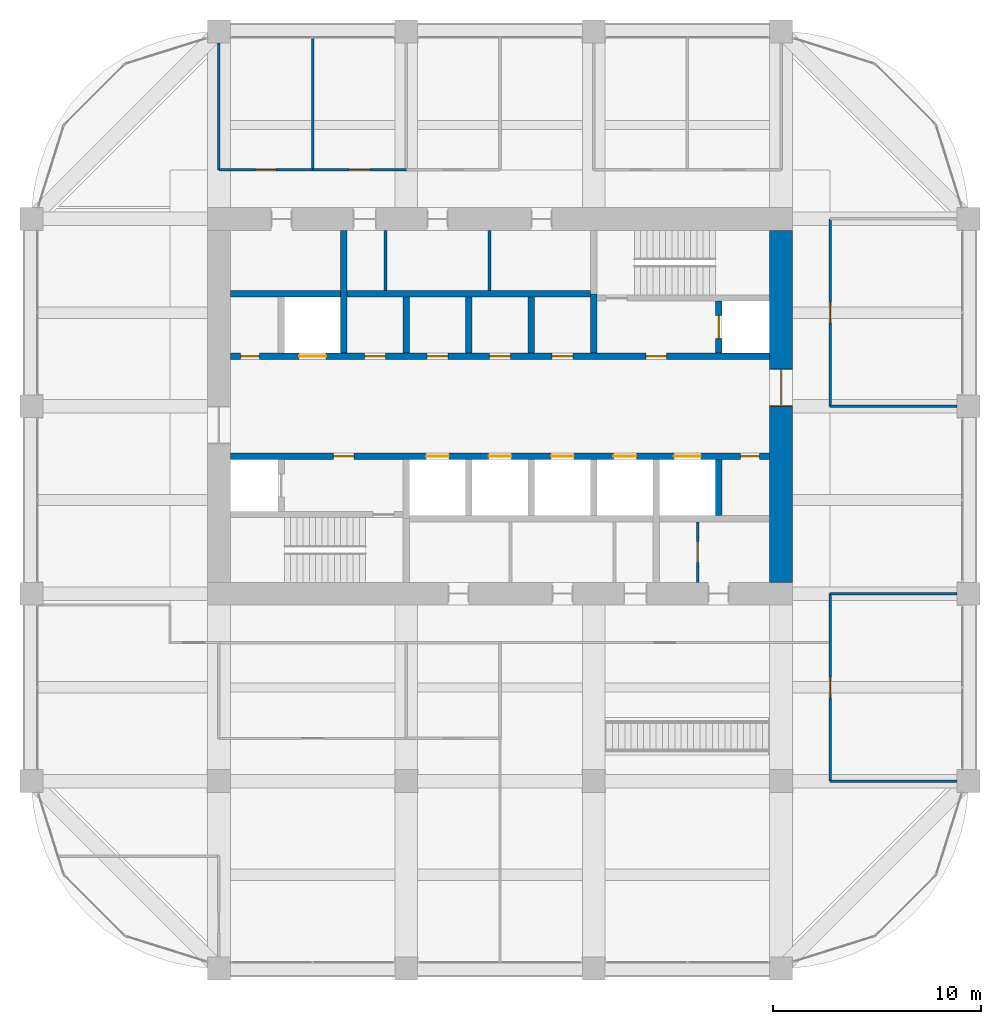
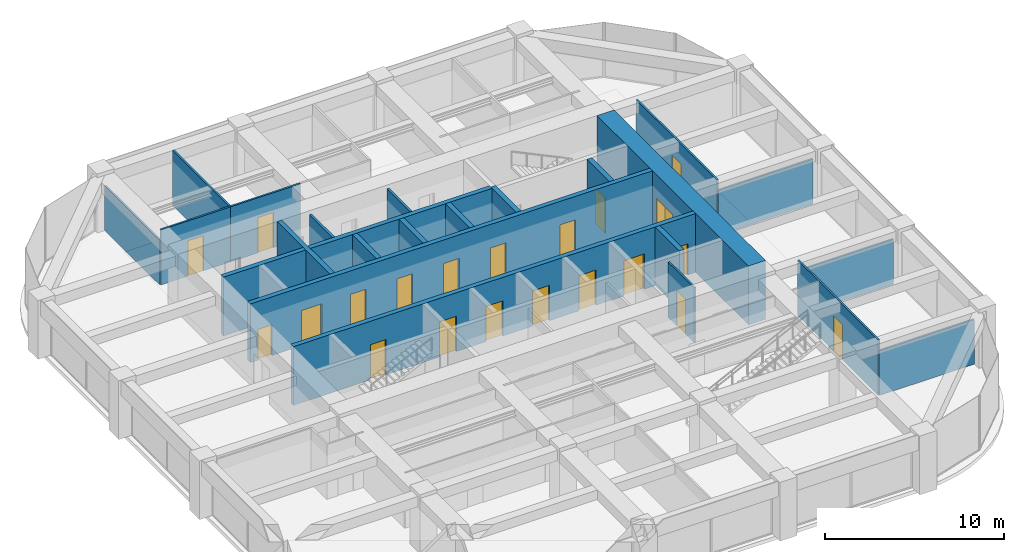
# One storey, part 42 of 44: 23 walls, 21 doors, 21 openings.
"""IFC4 building model written with IfcOpenShell, lengths in metres."""

from ifc_helpers import new_model, si_unit, direction, frame, frame_2d, origin, place, context, subcontext, project, spatial, rectangle, extrude, material, layer, layer_set, type_object, element, fill, save


model = new_model("IFC4")

# Units and contexts
model_context = context("Model", 3, precision=1e-05, world=origin(), true_north=direction((0.0, 1.0)))
body_context = subcontext(model_context, "Body", "Model", "MODEL_VIEW")
ifc_project = project(units=[si_unit("LENGTHUNIT", "METRE"), si_unit("AREAUNIT", "SQUARE_METRE"), si_unit("VOLUMEUNIT", "CUBIC_METRE"), si_unit("PLANEANGLEUNIT", "RADIAN"), si_unit("MASSUNIT", "GRAM", prefix="KILO")], contexts=[model_context])

# Site, building, storey
site_placement = place(None, origin())
site = spatial("IfcSite", under=ifc_project, at=site_placement, CompositionType="ELEMENT")
building_placement = place(site_placement, origin())
building = spatial("IfcBuilding", under=site, at=building_placement, Name="Zorevar Civic Tower", CompositionType="ELEMENT")
storey_placement = place(building_placement, frame((0.0, 0.0, 251.39990234375)))
storey = spatial("IfcBuildingStorey", under=building, at=storey_placement, Name="L61", CompositionType="ELEMENT", Elevation=251.39990234375)

# Wall, opening, door
ifc_material_1 = material(Name="Concrete C50/60", Category="concrete")
ifc_layer_1 = layer(ifc_material_1, 1.10009765625)
ifc_layer_set_1 = layer_set([ifc_layer_1], Name="Core wall 1100")
wall_type_1 = type_object("IfcWallType", Name="Core wall 1100", PredefinedType="SHEAR", material=ifc_layer_set_1)
wall_1_placement = place(storey_placement, frame((45.0, 18.550048828125, 0.0), z_axis=(0.0, 0.0, 1.0), x_axis=(0.0, 1.0, 0.0)))
wall_1 = element("IfcWall", 1, at=wall_1_placement, inside=storey, type_object=wall_type_1, Name="Core wall E L61", PredefinedType="SHEAR", context=body_context, shape_type="SweptSolid", body=[
    extrude(rectangle(XDim=16.89990234375, YDim=1.10009765625, at=frame_2d((8.449951171875, 0.0))), origin(), (0.0, 0.0, 1.0), 4.0),
])
opening_1_placement = place(wall_1_placement, frame((8.449951171875, 0.0, 0.0)))
opening_1 = element("IfcOpeningElement", 2, at=opening_1_placement, cuts=wall_1, Name="Opening L61.02", PredefinedType="OPENING", context=body_context, shape_type="SweptSolid", body=[
    extrude(rectangle(XDim=1.800048828125, YDim=2.39990234375, at=frame_2d((0.89990234375, 1.199951171875))), frame((0.0, 0.56005859375, 0.0), z_axis=(0.0, -1.0, 0.0), x_axis=(1.0, 0.0, 0.0)), (0.0, 0.0, 1.0), 1.1201171875),
])
ifc_material_2 = material(Name="Steel door set", Category="steel")
door_type_1 = type_object("IfcDoorType", Name="Fire door FD2 1800x2400", OperationType="DOUBLE_DOOR_DOUBLE_SWING", PredefinedType="DOOR", material=ifc_material_2)
door_1_placement = place(opening_1_placement, origin())
door_1 = element("IfcDoor", 3, at=door_1_placement, inside=storey, type_object=door_type_1, Name="Door L61 01", OperationType="DOUBLE_DOOR_DOUBLE_SWING", OverallHeight=2.39990234375, OverallWidth=1.800048828125, PredefinedType="DOOR", context=body_context, shape_type="SweptSolid", body=[
    extrude(rectangle(XDim=1.800048828125, YDim=2.39990234375, at=frame_2d((0.89990234375, 1.199951171875))), frame((0.0, 0.030029296875, 0.0), z_axis=(0.0, -1.0, 0.0), x_axis=(1.0, 0.0, 0.0)), (0.0, 0.0, 1.0), 0.06005859375),
    extrude(rectangle(XDim=0.04, YDim=2.39990234375, at=frame_2d((0.02001953125, 1.199951171875))), frame((0.0, 0.5498046875, 0.0), z_axis=(0.0, -1.0, 0.0), x_axis=(1.0, 0.0, 0.0)), (0.0, 0.0, 1.0), 1.099609375),
    extrude(rectangle(XDim=0.04, YDim=2.39990234375, at=frame_2d((1.780029296875, 1.199951171875))), frame((0.0, 0.5498046875, 0.0), z_axis=(0.0, -1.0, 0.0), x_axis=(1.0, 0.0, 0.0)), (0.0, 0.0, 1.0), 1.099609375),
    extrude(rectangle(XDim=1.800048828125, YDim=0.04, at=frame_2d((0.89990234375, 2.3798828125))), frame((0.0, 0.5498046875, 0.0), z_axis=(0.0, -1.0, 0.0), x_axis=(1.0, 0.0, 0.0)), (0.0, 0.0, 1.0), 1.099609375),
])
fill(opening_1, door_1)

ifc_material_3 = material(Name="Concrete C40/50", Category="concrete")
ifc_layer_2 = layer(ifc_material_3, 0.300048828125)
ifc_layer_set_2 = layer_set([ifc_layer_2], Name="Inner core wall 300")
wall_type_2 = type_object("IfcWallType", Name="Inner core wall 300", PredefinedType="SHEAR", material=ifc_layer_set_2)
wall_2_placement = place(storey_placement, frame((42.0, 29.550048828125, 0.0), z_axis=(0.0, 0.0, 1.0), x_axis=(0.0, 1.0, 0.0)))
wall_2 = element("IfcWall", 4, at=wall_2_placement, inside=storey, type_object=wall_type_2, Name="Inner core wall N02 L61", PredefinedType="SHEAR", context=body_context, shape_type="SweptSolid", body=[
    extrude(rectangle(XDim=2.5, YDim=0.300048828125, at=frame_2d((1.25, 0.0))), origin(), (0.0, 0.0, 1.0), 4.0),
])
opening_2_placement = place(wall_2_placement, frame((0.699951171875, 0.0, 0.0)))
opening_2 = element("IfcOpeningElement", 5, at=opening_2_placement, cuts=wall_2, Name="Opening L61.FL2", PredefinedType="OPENING", context=body_context, shape_type="SweptSolid", body=[
    extrude(rectangle(XDim=1.10009765625, YDim=2.39990234375, at=frame_2d((0.550048828125, 1.199951171875))), frame((0.0, 0.159912109375, 0.0), z_axis=(0.0, -1.0, 0.0), x_axis=(1.0, 0.0, 0.0)), (0.0, 0.0, 1.0), 0.320068359375),
])
ifc_material_4 = material(Name="Steel door set", Category="steel")
door_type_2 = type_object("IfcDoorType", Name="Firefighting lift landing door LD3 1100x2400", OperationType="DOUBLE_DOOR_SLIDING", PredefinedType="DOOR", material=ifc_material_4)
door_2_placement = place(opening_2_placement, origin())
door_2 = element("IfcDoor", 6, at=door_2_placement, inside=storey, type_object=door_type_2, Name="Landing door FL2 L61", OperationType="DOUBLE_DOOR_SLIDING", OverallHeight=2.39990234375, OverallWidth=1.10009765625, PredefinedType="DOOR", context=body_context, shape_type="SweptSolid", body=[
    extrude(rectangle(XDim=1.10009765625, YDim=2.39990234375, at=frame_2d((0.550048828125, 1.199951171875))), frame((0.0, 0.030029296875, 0.0), z_axis=(0.0, -1.0, 0.0), x_axis=(1.0, 0.0, 0.0)), (0.0, 0.0, 1.0), 0.06005859375),
])
fill(opening_2, door_2)

# Wall, openings, doors
wall_3_placement = place(storey_placement, frame((18.550048828125, 24.60009765625, 0.0), z_axis=(0.0, 0.0, 1.0), x_axis=(1.0, 0.0, 0.0)))
wall_3 = element("IfcWall", 7, at=wall_3_placement, inside=storey, type_object=wall_type_2, Name="Inner core wall S03 L61", PredefinedType="SHEAR", context=body_context, shape_type="SweptSolid", body=[
    extrude(rectangle(XDim=25.89990234375, YDim=0.300048828125, at=frame_2d((12.949951171875, 0.0))), origin(), (0.0, 0.0, 1.0), 4.0),
])
opening_3_placement = place(wall_3_placement, frame((4.949951171875, 0.0, 0.0)))
opening_3 = element("IfcOpeningElement", 8, at=opening_3_placement, cuts=wall_3, Name="Opening L61.13", PredefinedType="OPENING", context=body_context, shape_type="SweptSolid", body=[
    extrude(rectangle(XDim=1.0, YDim=2.39990234375, at=frame_2d((0.5, 1.199951171875))), frame((0.0, 0.159912109375, 0.0), z_axis=(0.0, -1.0, 0.0), x_axis=(1.0, 0.0, 0.0)), (0.0, 0.0, 1.0), 0.320068359375),
])
opening_4_placement = place(wall_3_placement, frame((24.5, 0.0, 0.0)))
opening_4 = element("IfcOpeningElement", 9, at=opening_4_placement, cuts=wall_3, Name="Opening L61.15", PredefinedType="OPENING", context=body_context, shape_type="SweptSolid", body=[
    extrude(rectangle(XDim=0.89990234375, YDim=2.10009765625, at=frame_2d((0.449951171875, 1.050048828125))), frame((0.0, 0.159912109375, 0.0), z_axis=(0.0, -1.0, 0.0), x_axis=(1.0, 0.0, 0.0)), (0.0, 0.0, 1.0), 0.320068359375),
])
opening_5_placement = place(wall_3_placement, frame((9.39990234375, 0.0, 0.0)))
opening_5 = element("IfcOpeningElement", 10, at=opening_5_placement, cuts=wall_3, Name="Opening L61.LT1", PredefinedType="OPENING", context=body_context, shape_type="SweptSolid", body=[
    extrude(rectangle(XDim=1.10009765625, YDim=2.39990234375, at=frame_2d((0.550048828125, 1.199951171875))), frame((0.0, 0.159912109375, 0.0), z_axis=(0.0, -1.0, 0.0), x_axis=(1.0, 0.0, 0.0)), (0.0, 0.0, 1.0), 0.320068359375),
])
opening_6_placement = place(wall_3_placement, frame((12.39990234375, 0.0, 0.0)))
opening_6 = element("IfcOpeningElement", 11, at=opening_6_placement, cuts=wall_3, Name="Opening L61.LT2", PredefinedType="OPENING", context=body_context, shape_type="SweptSolid", body=[
    extrude(rectangle(XDim=1.10009765625, YDim=2.39990234375, at=frame_2d((0.550048828125, 1.199951171875))), frame((0.0, 0.159912109375, 0.0), z_axis=(0.0, -1.0, 0.0), x_axis=(1.0, 0.0, 0.0)), (0.0, 0.0, 1.0), 0.320068359375),
])
opening_7_placement = place(wall_3_placement, frame((15.39990234375, 0.0, 0.0)))
opening_7 = element("IfcOpeningElement", 12, at=opening_7_placement, cuts=wall_3, Name="Opening L61.LT3", PredefinedType="OPENING", context=body_context, shape_type="SweptSolid", body=[
    extrude(rectangle(XDim=1.10009765625, YDim=2.39990234375, at=frame_2d((0.550048828125, 1.199951171875))), frame((0.0, 0.159912109375, 0.0), z_axis=(0.0, -1.0, 0.0), x_axis=(1.0, 0.0, 0.0)), (0.0, 0.0, 1.0), 0.320068359375),
])
opening_8_placement = place(wall_3_placement, frame((18.39990234375, 0.0, 0.0)))
opening_8 = element("IfcOpeningElement", 13, at=opening_8_placement, cuts=wall_3, Name="Opening L61.LT4", PredefinedType="OPENING", context=body_context, shape_type="SweptSolid", body=[
    extrude(rectangle(XDim=1.10009765625, YDim=2.39990234375, at=frame_2d((0.550048828125, 1.199951171875))), frame((0.0, 0.159912109375, 0.0), z_axis=(0.0, -1.0, 0.0), x_axis=(1.0, 0.0, 0.0)), (0.0, 0.0, 1.0), 0.320068359375),
])
opening_9_placement = place(wall_3_placement, frame((21.300048828125, 0.0, 0.0)))
opening_9 = element("IfcOpeningElement", 14, at=opening_9_placement, cuts=wall_3, Name="Opening L61.SL1", PredefinedType="OPENING", context=body_context, shape_type="SweptSolid", body=[
    extrude(rectangle(XDim=1.300048828125, YDim=2.39990234375, at=frame_2d((0.64990234375, 1.199951171875))), frame((0.0, 0.159912109375, 0.0), z_axis=(0.0, -1.0, 0.0), x_axis=(1.0, 0.0, 0.0)), (0.0, 0.0, 1.0), 0.320068359375),
])
ifc_material_5 = material(Name="Steel door set", Category="steel")
door_type_3 = type_object("IfcDoorType", Name="Fire door FD1 1000x2400", OperationType="SINGLE_SWING_LEFT", PredefinedType="DOOR", material=ifc_material_5)
door_3_placement = place(opening_3_placement, origin())
door_3 = element("IfcDoor", 15, at=door_3_placement, inside=storey, type_object=door_type_3, Name="Door L61 12", OperationType="SINGLE_SWING_RIGHT", OverallHeight=2.39990234375, OverallWidth=1.0, PredefinedType="DOOR", context=body_context, shape_type="SweptSolid", body=[
    extrude(rectangle(XDim=1.0, YDim=2.39990234375, at=frame_2d((0.5, 1.199951171875))), frame((0.0, 0.030029296875, 0.0), z_axis=(0.0, -1.0, 0.0), x_axis=(1.0, 0.0, 0.0)), (0.0, 0.0, 1.0), 0.06005859375),
])
fill(opening_3, door_3)
ifc_material_6 = material(Name="Steel door set", Category="steel")
door_type_4 = type_object("IfcDoorType", Name="Landing door LD1 1100x2400", OperationType="DOUBLE_DOOR_SLIDING", PredefinedType="DOOR", material=ifc_material_6)
door_4_placement = place(opening_5_placement, origin())
door_4 = element("IfcDoor", 16, at=door_4_placement, inside=storey, type_object=door_type_4, Name="Landing door LT1 L61", OperationType="DOUBLE_DOOR_SLIDING", OverallHeight=2.39990234375, OverallWidth=1.10009765625, PredefinedType="DOOR", context=body_context, shape_type="SweptSolid", body=[
    extrude(rectangle(XDim=1.10009765625, YDim=2.39990234375, at=frame_2d((0.550048828125, 1.199951171875))), frame((0.0, 0.02001953125, 0.0), z_axis=(0.0, -1.0, 0.0), x_axis=(1.0, 0.0, 0.0)), (0.0, 0.0, 1.0), 0.0400390625),
])
fill(opening_5, door_4)
door_5_placement = place(opening_6_placement, origin())
door_5 = element("IfcDoor", 17, at=door_5_placement, inside=storey, type_object=door_type_4, Name="Landing door LT2 L61", OperationType="DOUBLE_DOOR_SLIDING", OverallHeight=2.39990234375, OverallWidth=1.10009765625, PredefinedType="DOOR", context=body_context, shape_type="SweptSolid", body=[
    extrude(rectangle(XDim=1.10009765625, YDim=2.39990234375, at=frame_2d((0.550048828125, 1.199951171875))), frame((0.0, 0.02001953125, 0.0), z_axis=(0.0, -1.0, 0.0), x_axis=(1.0, 0.0, 0.0)), (0.0, 0.0, 1.0), 0.0400390625),
])
fill(opening_6, door_5)
door_6_placement = place(opening_7_placement, origin())
door_6 = element("IfcDoor", 18, at=door_6_placement, inside=storey, type_object=door_type_4, Name="Landing door LT3 L61", OperationType="DOUBLE_DOOR_SLIDING", OverallHeight=2.39990234375, OverallWidth=1.10009765625, PredefinedType="DOOR", context=body_context, shape_type="SweptSolid", body=[
    extrude(rectangle(XDim=1.10009765625, YDim=2.39990234375, at=frame_2d((0.550048828125, 1.199951171875))), frame((0.0, 0.02001953125, 0.0), z_axis=(0.0, -1.0, 0.0), x_axis=(1.0, 0.0, 0.0)), (0.0, 0.0, 1.0), 0.0400390625),
])
fill(opening_7, door_6)
door_7_placement = place(opening_8_placement, origin())
door_7 = element("IfcDoor", 19, at=door_7_placement, inside=storey, type_object=door_type_4, Name="Landing door LT4 L61", OperationType="DOUBLE_DOOR_SLIDING", OverallHeight=2.39990234375, OverallWidth=1.10009765625, PredefinedType="DOOR", context=body_context, shape_type="SweptSolid", body=[
    extrude(rectangle(XDim=1.10009765625, YDim=2.39990234375, at=frame_2d((0.550048828125, 1.199951171875))), frame((0.0, 0.02001953125, 0.0), z_axis=(0.0, -1.0, 0.0), x_axis=(1.0, 0.0, 0.0)), (0.0, 0.0, 1.0), 0.0400390625),
])
fill(opening_8, door_7)
ifc_material_7 = material(Name="Steel door set", Category="steel")
door_type_5 = type_object("IfcDoorType", Name="Landing door LD2 1300x2400", OperationType="DOUBLE_DOOR_SLIDING", PredefinedType="DOOR", material=ifc_material_7)
door_8_placement = place(opening_9_placement, origin())
door_8 = element("IfcDoor", 20, at=door_8_placement, inside=storey, type_object=door_type_5, Name="Landing door SL1 L61", OperationType="DOUBLE_DOOR_SLIDING", OverallHeight=2.39990234375, OverallWidth=1.300048828125, PredefinedType="DOOR", context=body_context, shape_type="SweptSolid", body=[
    extrude(rectangle(XDim=1.300048828125, YDim=2.39990234375, at=frame_2d((0.64990234375, 1.199951171875))), frame((0.0, 0.02001953125, 0.0), z_axis=(0.0, -1.0, 0.0), x_axis=(1.0, 0.0, 0.0)), (0.0, 0.0, 1.0), 0.0400390625),
])
fill(opening_9, door_8)
ifc_material_8 = material(Name="Steel door set", Category="steel")
door_type_6 = type_object("IfcDoorType", Name="Riser door RD1 900x2100", OperationType="SINGLE_SWING_LEFT", PredefinedType="DOOR", material=ifc_material_8)
door_9_placement = place(opening_4_placement, origin())
door_9 = element("IfcDoor", 21, at=door_9_placement, inside=storey, type_object=door_type_6, Name="Door L61 14", OperationType="SINGLE_SWING_RIGHT", OverallHeight=2.10009765625, OverallWidth=0.89990234375, PredefinedType="DOOR", context=body_context, shape_type="SweptSolid", body=[
    extrude(rectangle(XDim=0.89990234375, YDim=2.10009765625, at=frame_2d((0.449951171875, 1.050048828125))), frame((0.0, 0.030029296875, 0.0), z_axis=(0.0, -1.0, 0.0), x_axis=(1.0, 0.0, 0.0)), (0.0, 0.0, 1.0), 0.06005859375),
])
fill(opening_4, door_9)

wall_4_placement = place(storey_placement, frame((18.550048828125, 29.39990234375, 0.0), z_axis=(0.0, 0.0, 1.0), x_axis=(1.0, 0.0, 0.0)))
wall_4 = element("IfcWall", 22, at=wall_4_placement, inside=storey, type_object=wall_type_2, Name="Inner core wall N03 L61", PredefinedType="SHEAR", context=body_context, shape_type="SweptSolid", body=[
    extrude(rectangle(XDim=25.89990234375, YDim=0.300048828125, at=frame_2d((12.949951171875, 0.0))), origin(), (0.0, 0.0, 1.0), 4.0),
])
opening_10_placement = place(wall_4_placement, frame((19.949951171875, 0.0, 0.0)))
opening_10 = element("IfcOpeningElement", 23, at=opening_10_placement, cuts=wall_4, Name="Opening L61.14", PredefinedType="OPENING", context=body_context, shape_type="SweptSolid", body=[
    extrude(rectangle(XDim=1.0, YDim=2.39990234375, at=frame_2d((0.5, 1.199951171875))), frame((0.0, 0.159912109375, 0.0), z_axis=(0.0, -1.0, 0.0), x_axis=(1.0, 0.0, 0.0)), (0.0, 0.0, 1.0), 0.320068359375),
])
opening_11_placement = place(wall_4_placement, frame((0.5, 0.0, 0.0)))
opening_11 = element("IfcOpeningElement", 24, at=opening_11_placement, cuts=wall_4, Name="Opening L61.16", PredefinedType="OPENING", context=body_context, shape_type="SweptSolid", body=[
    extrude(rectangle(XDim=0.89990234375, YDim=2.10009765625, at=frame_2d((0.449951171875, 1.050048828125))), frame((0.0, 0.159912109375, 0.0), z_axis=(0.0, -1.0, 0.0), x_axis=(1.0, 0.0, 0.0)), (0.0, 0.0, 1.0), 0.320068359375),
])
opening_12_placement = place(wall_4_placement, frame((15.449951171875, 0.0, 0.0)))
opening_12 = element("IfcOpeningElement", 25, at=opening_12_placement, cuts=wall_4, Name="Opening L61.30", PredefinedType="OPENING", context=body_context, shape_type="SweptSolid", body=[
    extrude(rectangle(XDim=1.0, YDim=2.39990234375, at=frame_2d((0.5, 1.199951171875))), frame((0.0, 0.159912109375, 0.0), z_axis=(0.0, -1.0, 0.0), x_axis=(1.0, 0.0, 0.0)), (0.0, 0.0, 1.0), 0.320068359375),
])
opening_13_placement = place(wall_4_placement, frame((12.449951171875, 0.0, 0.0)))
opening_13 = element("IfcOpeningElement", 26, at=opening_13_placement, cuts=wall_4, Name="Opening L61.31", PredefinedType="OPENING", context=body_context, shape_type="SweptSolid", body=[
    extrude(rectangle(XDim=1.0, YDim=2.39990234375, at=frame_2d((0.5, 1.199951171875))), frame((0.0, 0.159912109375, 0.0), z_axis=(0.0, -1.0, 0.0), x_axis=(1.0, 0.0, 0.0)), (0.0, 0.0, 1.0), 0.320068359375),
])
opening_14_placement = place(wall_4_placement, frame((9.449951171875, 0.0, 0.0)))
opening_14 = element("IfcOpeningElement", 27, at=opening_14_placement, cuts=wall_4, Name="Opening L61.32", PredefinedType="OPENING", context=body_context, shape_type="SweptSolid", body=[
    extrude(rectangle(XDim=1.0, YDim=2.39990234375, at=frame_2d((0.5, 1.199951171875))), frame((0.0, 0.159912109375, 0.0), z_axis=(0.0, -1.0, 0.0), x_axis=(1.0, 0.0, 0.0)), (0.0, 0.0, 1.0), 0.320068359375),
])
opening_15_placement = place(wall_4_placement, frame((6.449951171875, 0.0, 0.0)))
opening_15 = element("IfcOpeningElement", 28, at=opening_15_placement, cuts=wall_4, Name="Opening L61.33", PredefinedType="OPENING", context=body_context, shape_type="SweptSolid", body=[
    extrude(rectangle(XDim=1.0, YDim=2.39990234375, at=frame_2d((0.5, 1.199951171875))), frame((0.0, 0.159912109375, 0.0), z_axis=(0.0, -1.0, 0.0), x_axis=(1.0, 0.0, 0.0)), (0.0, 0.0, 1.0), 0.320068359375),
])
opening_16_placement = place(wall_4_placement, frame((3.300048828125, 0.0, 0.0)))
opening_16 = element("IfcOpeningElement", 29, at=opening_16_placement, cuts=wall_4, Name="Opening L61.SL2", PredefinedType="OPENING", context=body_context, shape_type="SweptSolid", body=[
    extrude(rectangle(XDim=1.300048828125, YDim=2.39990234375, at=frame_2d((0.64990234375, 1.199951171875))), frame((0.0, 0.159912109375, 0.0), z_axis=(0.0, -1.0, 0.0), x_axis=(1.0, 0.0, 0.0)), (0.0, 0.0, 1.0), 0.320068359375),
])
door_10_placement = place(opening_10_placement, origin())
door_10 = element("IfcDoor", 30, at=door_10_placement, inside=storey, type_object=door_type_3, Name="Door L61 13", OperationType="SINGLE_SWING_RIGHT", OverallHeight=2.39990234375, OverallWidth=1.0, PredefinedType="DOOR", context=body_context, shape_type="SweptSolid", body=[
    extrude(rectangle(XDim=1.0, YDim=2.39990234375, at=frame_2d((0.5, 1.199951171875))), frame((0.0, 0.030029296875, 0.0), z_axis=(0.0, -1.0, 0.0), x_axis=(1.0, 0.0, 0.0)), (0.0, 0.0, 1.0), 0.06005859375),
])
fill(opening_10, door_10)
door_11_placement = place(opening_12_placement, origin())
door_11 = element("IfcDoor", 31, at=door_11_placement, inside=storey, type_object=door_type_3, Name="Door L61 LM1 shaft room", OperationType="SINGLE_SWING_LEFT", OverallHeight=2.39990234375, OverallWidth=1.0, PredefinedType="DOOR", context=body_context, shape_type="SweptSolid", body=[
    extrude(rectangle(XDim=1.0, YDim=2.39990234375, at=frame_2d((0.5, 1.199951171875))), frame((0.0, 0.030029296875, 0.0), z_axis=(0.0, -1.0, 0.0), x_axis=(1.0, 0.0, 0.0)), (0.0, 0.0, 1.0), 0.06005859375),
])
fill(opening_12, door_11)
door_12_placement = place(opening_13_placement, origin())
door_12 = element("IfcDoor", 32, at=door_12_placement, inside=storey, type_object=door_type_3, Name="Door L61 LM2 shaft room", OperationType="SINGLE_SWING_RIGHT", OverallHeight=2.39990234375, OverallWidth=1.0, PredefinedType="DOOR", context=body_context, shape_type="SweptSolid", body=[
    extrude(rectangle(XDim=1.0, YDim=2.39990234375, at=frame_2d((0.5, 1.199951171875))), frame((0.0, 0.030029296875, 0.0), z_axis=(0.0, -1.0, 0.0), x_axis=(1.0, 0.0, 0.0)), (0.0, 0.0, 1.0), 0.06005859375),
])
fill(opening_13, door_12)
door_13_placement = place(opening_14_placement, origin())
door_13 = element("IfcDoor", 33, at=door_13_placement, inside=storey, type_object=door_type_3, Name="Door L61 LH1 shaft room", OperationType="SINGLE_SWING_RIGHT", OverallHeight=2.39990234375, OverallWidth=1.0, PredefinedType="DOOR", context=body_context, shape_type="SweptSolid", body=[
    extrude(rectangle(XDim=1.0, YDim=2.39990234375, at=frame_2d((0.5, 1.199951171875))), frame((0.0, 0.030029296875, 0.0), z_axis=(0.0, -1.0, 0.0), x_axis=(1.0, 0.0, 0.0)), (0.0, 0.0, 1.0), 0.06005859375),
])
fill(opening_14, door_13)
door_14_placement = place(opening_15_placement, origin())
door_14 = element("IfcDoor", 34, at=door_14_placement, inside=storey, type_object=door_type_3, Name="Door L61 LH2 shaft room", OperationType="SINGLE_SWING_RIGHT", OverallHeight=2.39990234375, OverallWidth=1.0, PredefinedType="DOOR", context=body_context, shape_type="SweptSolid", body=[
    extrude(rectangle(XDim=1.0, YDim=2.39990234375, at=frame_2d((0.5, 1.199951171875))), frame((0.0, 0.030029296875, 0.0), z_axis=(0.0, -1.0, 0.0), x_axis=(1.0, 0.0, 0.0)), (0.0, 0.0, 1.0), 0.06005859375),
])
fill(opening_15, door_14)
door_15_placement = place(opening_16_placement, origin())
door_15 = element("IfcDoor", 35, at=door_15_placement, inside=storey, type_object=door_type_5, Name="Landing door SL2 L61", OperationType="DOUBLE_DOOR_SLIDING", OverallHeight=2.39990234375, OverallWidth=1.300048828125, PredefinedType="DOOR", context=body_context, shape_type="SweptSolid", body=[
    extrude(rectangle(XDim=1.300048828125, YDim=2.39990234375, at=frame_2d((0.64990234375, 1.199951171875))), frame((0.0, 0.02001953125, 0.0), z_axis=(0.0, -1.0, 0.0), x_axis=(1.0, 0.0, 0.0)), (0.0, 0.0, 1.0), 0.0400390625),
])
fill(opening_16, door_15)
door_16_placement = place(opening_11_placement, origin())
door_16 = element("IfcDoor", 36, at=door_16_placement, inside=storey, type_object=door_type_6, Name="Door L61 15", OperationType="SINGLE_SWING_RIGHT", OverallHeight=2.10009765625, OverallWidth=0.89990234375, PredefinedType="DOOR", context=body_context, shape_type="SweptSolid", body=[
    extrude(rectangle(XDim=0.89990234375, YDim=2.10009765625, at=frame_2d((0.449951171875, 1.050048828125))), frame((0.0, 0.030029296875, 0.0), z_axis=(0.0, -1.0, 0.0), x_axis=(1.0, 0.0, 0.0)), (0.0, 0.0, 1.0), 0.06005859375),
])
fill(opening_11, door_16)

# Walls
wall_5_placement = place(storey_placement, frame((18.550048828125, 32.39990234375, 0.0), z_axis=(0.0, 0.0, 1.0), x_axis=(1.0, 0.0, 0.0)))
element("IfcWall", 37, at=wall_5_placement, inside=storey, type_object=wall_type_2, Name="Inner core wall N04 L61", PredefinedType="SHEAR", context=body_context, shape_type="SweptSolid", body=[
    extrude(rectangle(XDim=17.300048828125, YDim=0.300048828125, at=frame_2d((8.64990234375, 0.0))), origin(), (0.0, 0.0, 1.0), 4.0),
])
for number, where, z_axis, x_axis, name in (
    (38, (33.0, 29.550048828125, 0.0), (0.0, 0.0, 1.0), (0.0, 1.0, 0.0), "Inner core wall N05 L61"),
    (39, (30.0, 29.550048828125, 0.0), (0.0, 0.0, 1.0), (0.0, 1.0, 0.0), "Inner core wall N06 L61"),
    (40, (27.0, 29.550048828125, 0.0), (0.0, 0.0, 1.0), (0.0, 1.0, 0.0), "Inner core wall N07 L61"),
):
    element("IfcWall", number, at=place(storey_placement, frame(where, z_axis=z_axis, x_axis=x_axis)), inside=storey, type_object=wall_type_2, Name=name, PredefinedType="SHEAR", context=body_context, shape_type="SweptSolid", body=[
        extrude(rectangle(XDim=2.699951171875, YDim=0.300048828125, at=frame_2d((1.35009765625, 0.0))), origin(), (0.0, 0.0, 1.0), 4.0),
    ])
wall_6_placement = place(storey_placement, frame((24.0, 29.550048828125, 0.0), z_axis=(0.0, 0.0, 1.0), x_axis=(0.0, 1.0, 0.0)))
element("IfcWall", 41, at=wall_6_placement, inside=storey, type_object=wall_type_2, Name="Inner core wall N08 L61", PredefinedType="SHEAR", context=body_context, shape_type="SweptSolid", body=[
    extrude(rectangle(XDim=5.89990234375, YDim=0.300048828125, at=frame_2d((2.949951171875, 0.0))), origin(), (0.0, 0.0, 1.0), 4.0),
])
wall_7_placement = place(storey_placement, frame((42.0, 21.75, 0.0), z_axis=(0.0, 0.0, 1.0), x_axis=(0.0, 1.0, 0.0)))
element("IfcWall", 42, at=wall_7_placement, inside=storey, type_object=wall_type_2, Name="Inner core wall S09 L61", PredefinedType="SHEAR", context=body_context, shape_type="SweptSolid", body=[
    extrude(rectangle(XDim=2.699951171875, YDim=0.300048828125, at=frame_2d((1.35009765625, 0.0))), origin(), (0.0, 0.0, 1.0), 4.0),
])
wall_8_placement = place(storey_placement, frame((36.0, 29.550048828125, 0.0), z_axis=(0.0, 0.0, 1.0), x_axis=(0.0, 1.0, 0.0)))
element("IfcWall", 43, at=wall_8_placement, inside=storey, type_object=wall_type_2, Name="Inner core wall N10 L61", PredefinedType="SHEAR", context=body_context, shape_type="SweptSolid", body=[
    extrude(rectangle(XDim=2.849853515625, YDim=0.300048828125, at=frame_2d((1.4248046875, 0.0))), origin(), (0.0, 0.0, 1.0), 4.0),
])
ifc_material_9 = material(Name="Gypsum board on steel studs", Category="steel")
ifc_layer_3 = layer(ifc_material_9, 0.1201171875)
ifc_layer_set_3 = layer_set([ifc_layer_3], Name="Partition 120")
wall_type_3 = type_object("IfcWallType", Name="Partition 120", PredefinedType="PARTITIONING", material=ifc_layer_set_3)
for number, where, z_axis, x_axis, name in (
    (44, (47.35009765625, 9.0, 0.0), (0.0, 0.0, 1.0), (1.0, 0.0, 0.0), "Partition 120 L61"),
    (45, (47.35009765625, 18.0, 0.0), (0.0, 0.0, 1.0), (1.0, 0.0, 0.0), "Partition 120 L61"),
    (46, (47.35009765625, 27.0, 0.0), (0.0, 0.0, 1.0), (1.0, 0.0, 0.0), "Partition 120 L61"),
):
    element("IfcWall", number, at=place(storey_placement, frame(where, z_axis=z_axis, x_axis=x_axis)), inside=storey, type_object=wall_type_3, Name=name, PredefinedType="PARTITIONING", context=body_context, shape_type="SweptSolid", body=[
        extrude(rectangle(XDim=6.099853515625, YDim=0.1201171875, at=frame_2d((3.0498046875, 0.0))), origin(), (0.0, 0.0, 1.0), 3.050048828125),
    ])

# Wall, opening, door
wall_9_placement = place(storey_placement, frame((18.0, 38.35009765625, 0.0), z_axis=(0.0, 0.0, 1.0), x_axis=(1.0, 0.0, 0.0)))
wall_9 = element("IfcWall", 47, at=wall_9_placement, inside=storey, type_object=wall_type_3, Name="Partition 120 L61", PredefinedType="PARTITIONING", context=body_context, shape_type="SweptSolid", body=[
    extrude(rectangle(XDim=4.5, YDim=0.1201171875, at=frame_2d((2.25, 0.0))), origin(), (0.0, 0.0, 1.0), 3.75),
])
opening_17_placement = place(wall_9_placement, frame((1.75, 0.0, 0.0)))
opening_17 = element("IfcOpeningElement", 48, at=opening_17_placement, cuts=wall_9, Name="Opening L61.21", PredefinedType="OPENING", context=body_context, shape_type="SweptSolid", body=[
    extrude(rectangle(XDim=1.0, YDim=2.39990234375, at=frame_2d((0.5, 1.199951171875))), frame((0.0, 0.070068359375, 0.0), z_axis=(0.0, -1.0, 0.0), x_axis=(1.0, 0.0, 0.0)), (0.0, 0.0, 1.0), 0.14013671875),
])
ifc_material_10 = material(Name="Timber door set", Category="wood")
door_type_7 = type_object("IfcDoorType", Name="Door D1 1000x2400", OperationType="SINGLE_SWING_LEFT", PredefinedType="DOOR", material=ifc_material_10)
door_17_placement = place(opening_17_placement, origin())
door_17 = element("IfcDoor", 49, at=door_17_placement, inside=storey, type_object=door_type_7, Name="Door L61 D1", OperationType="SINGLE_SWING_LEFT", OverallHeight=2.39990234375, OverallWidth=1.0, PredefinedType="DOOR", context=body_context, shape_type="SweptSolid", body=[
    extrude(rectangle(XDim=1.0, YDim=2.39990234375, at=frame_2d((0.5, 1.199951171875))), frame((0.0, 0.02490234375, 0.0), z_axis=(0.0, -1.0, 0.0), x_axis=(1.0, 0.0, 0.0)), (0.0, 0.0, 1.0), 0.050048828125),
])
fill(opening_17, door_17)

wall_10_placement = place(storey_placement, frame((22.5, 38.35009765625, 0.0), z_axis=(0.0, 0.0, 1.0), x_axis=(1.0, 0.0, 0.0)))
wall_10 = element("IfcWall", 50, at=wall_10_placement, inside=storey, type_object=wall_type_3, Name="Partition 120 L61", PredefinedType="PARTITIONING", context=body_context, shape_type="SweptSolid", body=[
    extrude(rectangle(XDim=4.5, YDim=0.1201171875, at=frame_2d((2.25, 0.0))), origin(), (0.0, 0.0, 1.0), 3.75),
])
opening_18_placement = place(wall_10_placement, frame((1.75, 0.0, 0.0)))
opening_18 = element("IfcOpeningElement", 51, at=opening_18_placement, cuts=wall_10, Name="Opening L61.22", PredefinedType="OPENING", context=body_context, shape_type="SweptSolid", body=[
    extrude(rectangle(XDim=1.0, YDim=2.39990234375, at=frame_2d((0.5, 1.199951171875))), frame((0.0, 0.070068359375, 0.0), z_axis=(0.0, -1.0, 0.0), x_axis=(1.0, 0.0, 0.0)), (0.0, 0.0, 1.0), 0.14013671875),
])
door_18_placement = place(opening_18_placement, origin())
door_18 = element("IfcDoor", 52, at=door_18_placement, inside=storey, type_object=door_type_7, Name="Door L61 D1", OperationType="SINGLE_SWING_LEFT", OverallHeight=2.39990234375, OverallWidth=1.0, PredefinedType="DOOR", context=body_context, shape_type="SweptSolid", body=[
    extrude(rectangle(XDim=1.0, YDim=2.39990234375, at=frame_2d((0.5, 1.199951171875))), frame((0.0, 0.02490234375, 0.0), z_axis=(0.0, -1.0, 0.0), x_axis=(1.0, 0.0, 0.0)), (0.0, 0.0, 1.0), 0.050048828125),
])
fill(opening_18, door_18)

# Walls
wall_11_placement = place(storey_placement, frame((18.0, 38.35009765625, 0.0), z_axis=(0.0, 0.0, 1.0), x_axis=(0.0, 1.0, 0.0)))
element("IfcWall", 53, at=wall_11_placement, inside=storey, type_object=wall_type_3, Name="Partition 120 L61", PredefinedType="PARTITIONING", context=body_context, shape_type="SweptSolid", body=[
    extrude(rectangle(XDim=6.099853515625, YDim=0.1201171875, at=frame_2d((3.0498046875, 0.0))), origin(), (0.0, 0.0, 1.0), 3.050048828125),
])
wall_12_placement = place(storey_placement, frame((22.5, 38.35009765625, 0.0), z_axis=(0.0, 0.0, 1.0), x_axis=(0.0, 1.0, 0.0)))
element("IfcWall", 54, at=wall_12_placement, inside=storey, type_object=wall_type_3, Name="Partition 120 L61", PredefinedType="PARTITIONING", context=body_context, shape_type="SweptSolid", body=[
    extrude(rectangle(XDim=6.33984375, YDim=0.1201171875, at=frame_2d((3.169921875, 0.0))), origin(), (0.0, 0.0, 1.0), 3.75),
])

# Wall, opening, door
wall_13_placement = place(storey_placement, frame((47.35009765625, 9.0, 0.0), z_axis=(0.0, 0.0, 1.0), x_axis=(0.0, 1.0, 0.0)))
wall_13 = element("IfcWall", 55, at=wall_13_placement, inside=storey, type_object=wall_type_3, Name="Partition 120 L61", PredefinedType="PARTITIONING", context=body_context, shape_type="SweptSolid", body=[
    extrude(rectangle(XDim=9.0, YDim=0.1201171875, at=frame_2d((4.5, 0.0))), origin(), (0.0, 0.0, 1.0), 3.75),
])
opening_19_placement = place(wall_13_placement, frame((4.0, 0.0, 0.0)))
opening_19 = element("IfcOpeningElement", 56, at=opening_19_placement, cuts=wall_13, Name="Opening L61.27", PredefinedType="OPENING", context=body_context, shape_type="SweptSolid", body=[
    extrude(rectangle(XDim=1.0, YDim=2.39990234375, at=frame_2d((0.5, 1.199951171875))), frame((0.0, 0.070068359375, 0.0), z_axis=(0.0, -1.0, 0.0), x_axis=(1.0, 0.0, 0.0)), (0.0, 0.0, 1.0), 0.14013671875),
])
door_19_placement = place(opening_19_placement, origin())
door_19 = element("IfcDoor", 57, at=door_19_placement, inside=storey, type_object=door_type_7, Name="Door L61 D1", OperationType="SINGLE_SWING_LEFT", OverallHeight=2.39990234375, OverallWidth=1.0, PredefinedType="DOOR", context=body_context, shape_type="SweptSolid", body=[
    extrude(rectangle(XDim=1.0, YDim=2.39990234375, at=frame_2d((0.5, 1.199951171875))), frame((0.0, 0.02490234375, 0.0), z_axis=(0.0, -1.0, 0.0), x_axis=(1.0, 0.0, 0.0)), (0.0, 0.0, 1.0), 0.050048828125),
])
fill(opening_19, door_19)

wall_14_placement = place(storey_placement, frame((47.35009765625, 27.0, 0.0), z_axis=(0.0, 0.0, 1.0), x_axis=(0.0, 1.0, 0.0)))
wall_14 = element("IfcWall", 58, at=wall_14_placement, inside=storey, type_object=wall_type_3, Name="Partition 120 L61", PredefinedType="PARTITIONING", context=body_context, shape_type="SweptSolid", body=[
    extrude(rectangle(XDim=9.0, YDim=0.1201171875, at=frame_2d((4.5, 0.0))), origin(), (0.0, 0.0, 1.0), 3.75),
])
opening_20_placement = place(wall_14_placement, frame((4.0, 0.0, 0.0)))
opening_20 = element("IfcOpeningElement", 59, at=opening_20_placement, cuts=wall_14, Name="Opening L61.28", PredefinedType="OPENING", context=body_context, shape_type="SweptSolid", body=[
    extrude(rectangle(XDim=1.0, YDim=2.39990234375, at=frame_2d((0.5, 1.199951171875))), frame((0.0, 0.070068359375, 0.0), z_axis=(0.0, -1.0, 0.0), x_axis=(1.0, 0.0, 0.0)), (0.0, 0.0, 1.0), 0.14013671875),
])
door_20_placement = place(opening_20_placement, origin())
door_20 = element("IfcDoor", 60, at=door_20_placement, inside=storey, type_object=door_type_7, Name="Door L61 D1", OperationType="SINGLE_SWING_LEFT", OverallHeight=2.39990234375, OverallWidth=1.0, PredefinedType="DOOR", context=body_context, shape_type="SweptSolid", body=[
    extrude(rectangle(XDim=1.0, YDim=2.39990234375, at=frame_2d((0.5, 1.199951171875))), frame((0.0, 0.02490234375, 0.0), z_axis=(0.0, -1.0, 0.0), x_axis=(1.0, 0.0, 0.0)), (0.0, 0.0, 1.0), 0.050048828125),
])
fill(opening_20, door_20)

wall_15_placement = place(storey_placement, frame((41.0, 18.550048828125, 0.0), z_axis=(0.0, 0.0, 1.0), x_axis=(0.0, 1.0, 0.0)))
wall_15 = element("IfcWall", 61, at=wall_15_placement, inside=storey, type_object=wall_type_3, Name="Partition L61", PredefinedType="PARTITIONING", context=body_context, shape_type="SweptSolid", body=[
    extrude(rectangle(XDim=2.89990234375, YDim=0.1201171875, at=frame_2d((1.449951171875, 0.0))), origin(), (0.0, 0.0, 1.0), 3.75),
])
opening_21_placement = place(wall_15_placement, frame((0.949951171875, 0.0, 0.0)))
opening_21 = element("IfcOpeningElement", 62, at=opening_21_placement, cuts=wall_15, Name="Opening L61.29", PredefinedType="OPENING", context=body_context, shape_type="SweptSolid", body=[
    extrude(rectangle(XDim=1.0, YDim=2.39990234375, at=frame_2d((0.5, 1.199951171875))), frame((0.0, 0.070068359375, 0.0), z_axis=(0.0, -1.0, 0.0), x_axis=(1.0, 0.0, 0.0)), (0.0, 0.0, 1.0), 0.14013671875),
])
door_21_placement = place(opening_21_placement, origin())
door_21 = element("IfcDoor", 63, at=door_21_placement, inside=storey, type_object=door_type_3, Name="Door L61 ES", OperationType="SINGLE_SWING_RIGHT", OverallHeight=2.39990234375, OverallWidth=1.0, PredefinedType="DOOR", context=body_context, shape_type="SweptSolid", body=[
    extrude(rectangle(XDim=1.0, YDim=2.39990234375, at=frame_2d((0.5, 1.199951171875))), frame((0.0, 0.030029296875, 0.0), z_axis=(0.0, -1.0, 0.0), x_axis=(1.0, 0.0, 0.0)), (0.0, 0.0, 1.0), 0.06005859375),
])
fill(opening_21, door_21)

# Walls
ifc_material_11 = material(Name="Gypsum board on steel studs, moisture resistant", Category="steel")
ifc_layer_4 = layer(ifc_material_11, 0.14990234375)
ifc_layer_set_4 = layer_set([ifc_layer_4], Name="WC partition 150")
wall_type_4 = type_object("IfcWallType", Name="WC partition 150", PredefinedType="PARTITIONING", material=ifc_layer_set_4)
for number, where, z_axis, x_axis, name in (
    (64, (31.0, 32.550048828125, 0.0), (0.0, 0.0, 1.0), (0.0, 1.0, 0.0), "WC partition L61"),
    (65, (26.0, 32.550048828125, 0.0), (0.0, 0.0, 1.0), (0.0, 1.0, 0.0), "WC partition L61"),
):
    element("IfcWall", number, at=place(storey_placement, frame(where, z_axis=z_axis, x_axis=x_axis)), inside=storey, type_object=wall_type_4, Name=name, PredefinedType="PARTITIONING", context=body_context, shape_type="SweptSolid", body=[
        extrude(rectangle(XDim=2.89990234375, YDim=0.14990234375, at=frame_2d((1.449951171875, 0.0))), origin(), (0.0, 0.0, 1.0), 3.75),
    ])

save(model, "model.ifc")
